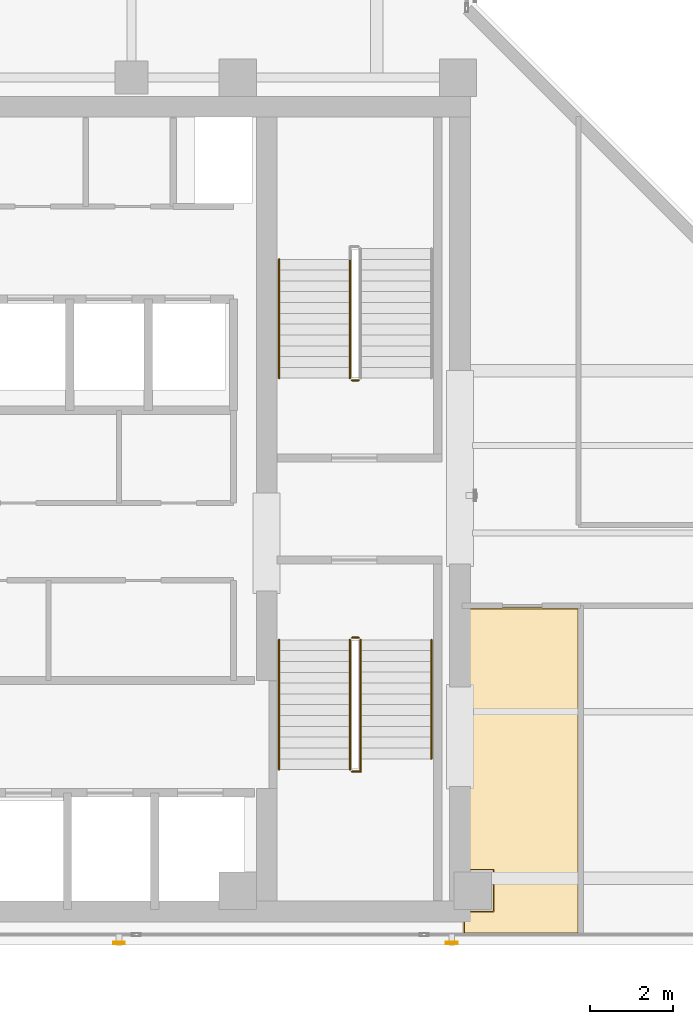
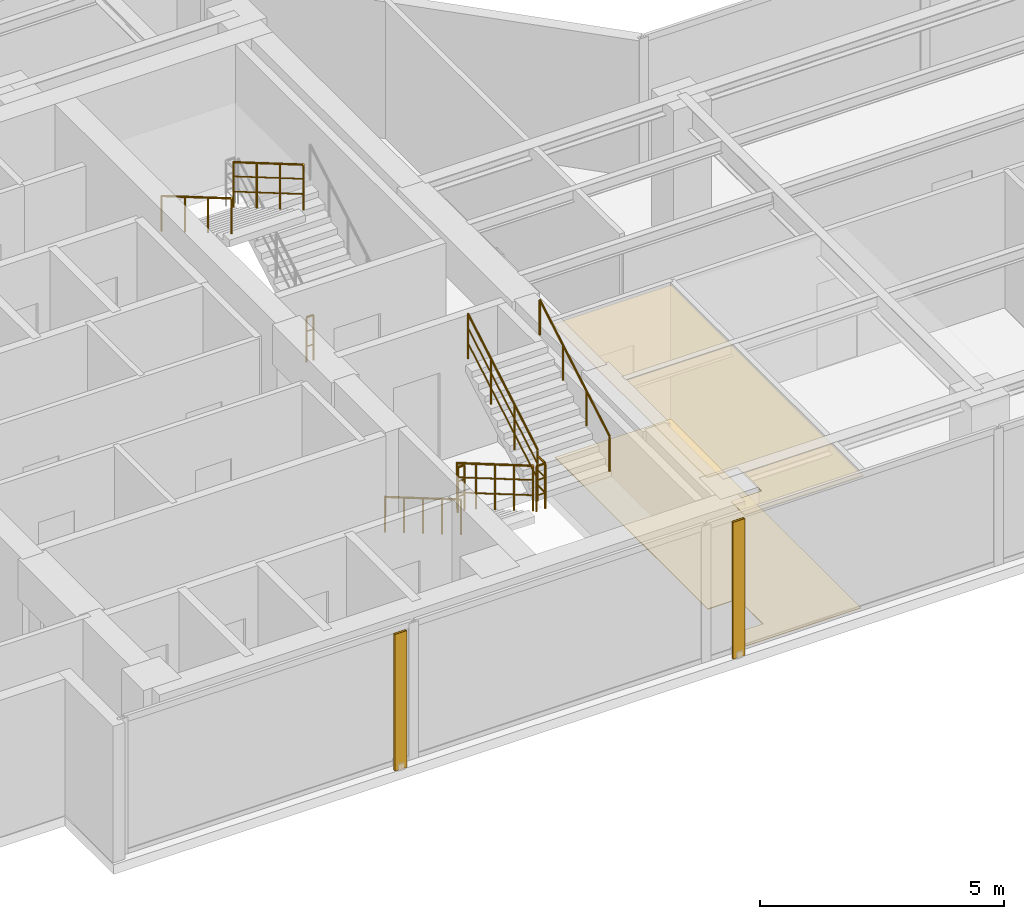
# One storey, part 19 of 23: 9 railings, 2 coverings, 2 shading devices.
"""IFC4 building model written with IfcOpenShell, lengths in metres."""

from ifc_helpers import new_model, si_unit, direction, frame, origin, origin_2d, place, context, subcontext, project, spatial, polyline, hollow_rectangle, circle, outline, extrude, material, layer, layer_set, material_profile, profile_set, type_object, element, save


model = new_model("IFC4")

# Units and contexts
model_context = context("Model", 3, precision=1e-05, world=origin(), true_north=direction((0.0, 1.0)))
body_context = subcontext(model_context, "Body", "Model", "MODEL_VIEW")
ifc_project = project(units=[si_unit("LENGTHUNIT", "METRE"), si_unit("AREAUNIT", "SQUARE_METRE"), si_unit("VOLUMEUNIT", "CUBIC_METRE"), si_unit("PLANEANGLEUNIT", "RADIAN"), si_unit("MASSUNIT", "GRAM", prefix="KILO")], contexts=[model_context])

# Site, building, storey
site_placement = place(None, origin())
site = spatial("IfcSite", under=ifc_project, at=site_placement, CompositionType="ELEMENT")
building_placement = place(site_placement, origin())
building = spatial("IfcBuilding", under=site, at=building_placement, Name="Kolvaren Waterfront Exchange", CompositionType="ELEMENT")
storey_placement = place(building_placement, frame((0.0, 0.0, 335.0)))
storey = spatial("IfcBuildingStorey", under=building, at=storey_placement, Name="L86", CompositionType="ELEMENT", Elevation=335.0)

# Covering
ifc_material_1 = material(Name="Mineral fibre acoustic ceiling tile")
ifc_layer_1 = layer(ifc_material_1, 0.02490234375, Name="Mineral fibre acoustic ceiling tile")
ifc_layer_set_1 = layer_set([ifc_layer_1], Name="Mineral fibre acoustic ceiling tile")
covering_type_1 = type_object("IfcCoveringType", Name="ARC-CEIL-ACOUSTIC-25", PredefinedType="CEILING", material=ifc_layer_set_1)
covering_1_placement = place(storey_placement, frame((0.0, 0.0, 3.304931640625)))
element("IfcCovering", 1, at=covering_1_placement, inside=storey, type_object=covering_type_1, Name="L86 acoustic suspended ceiling 2", PredefinedType="CEILING", context=body_context, shape_type="SweptSolid", body=[
    extrude(outline(polyline([(20.864990234375, 5.389892578125), (21.590087890625, 5.389892578125), (21.590087890625, 4.409912109375), (20.864990234375, 4.409912109375), (20.864990234375, 3.844970703125), (23.675048828125, 3.844970703125), (23.675048828125, 11.705078125), (20.864990234375, 11.705078125), (20.864990234375, 5.389892578125)])), origin(), (0.0, 0.0, 1.0), 0.025146484375),
])

# Shading devices
ifc_material_2 = material(Name="Anodised bronze aluminium 6063-T6", Category="aluminium")
ifc_material_profile = material_profile(ifc_material_2, hollow_rectangle(XDim=0.054931640625, YDim=0.280029296875, WallThickness=0.00439453125, at=origin_2d()), Name="BRZ-FIN-280x55x4.5")
ifc_profile_set = profile_set([ifc_material_profile], Name="Anodised bronze aluminium 6063-T6")
shading_device_type = type_object("IfcShadingDeviceType", Name="ARC-FIN-280", PredefinedType="USERDEFINED", material=ifc_profile_set)
for number, where, z_axis, x_axis, name in (
    (2, (12.60009765625, 3.639892578125, 0.0), (0.0, 0.0, 1.0), (0.0, -1.0, 0.0), "L86 anodised bronze solar shading fin FIN-L86-S1"),
    (3, (20.60009765625, 3.639892578125, 0.0), (0.0, 0.0, 1.0), (0.0, -1.0, 0.0), "L86 anodised bronze solar shading fin FIN-L86-S2"),
):
    element("IfcShadingDevice", number, at=place(storey_placement, frame(where, z_axis=z_axis, x_axis=x_axis)), inside=storey, type_object=shading_device_type, Name=name, ObjectType="SOLAR FIN", PredefinedType="USERDEFINED", context=body_context, shape_type="SweptSolid", body=[
        extrude(hollow_rectangle(XDim=0.054931640625, YDim=0.280029296875, WallThickness=0.00439453125, at=origin_2d()), origin(), (0.0, 0.0, 1.0), 3.419921875),
    ])

# Covering
ifc_material_3 = material(Name="Slip-resistant porcelain tile")
ifc_layer_2 = layer(ifc_material_3, 0.014892578125, Name="Slip-resistant porcelain tile")
ifc_layer_set_2 = layer_set([ifc_layer_2], Name="Slip-resistant porcelain tile")
covering_type_2 = type_object("IfcCoveringType", Name="ARC-FLR-PORC-15", PredefinedType="FLOORING", material=ifc_layer_set_2)
covering_2_placement = place(storey_placement, origin())
element("IfcCovering", 4, at=covering_2_placement, inside=storey, type_object=covering_type_2, Name="L86 floor finish 2", PredefinedType="FLOORING", context=body_context, shape_type="SweptSolid", body=[
    extrude(outline(polyline([(20.89990234375, 4.389892578125), (20.89990234375, 3.8798828125), (23.639892578125, 3.8798828125), (23.639892578125, 11.669921875), (20.89990234375, 11.669921875), (20.89990234375, 5.409912109375), (21.610107421875, 5.409912109375), (21.610107421875, 4.389892578125), (20.89990234375, 4.389892578125)])), origin(), (0.0, 0.0, 1.0), 0.014892578125),
])

# Railings
ifc_material_4 = material(Name="Stainless steel 316", Category="steel")
railing_type_1 = type_object("IfcRailingType", Name="ARC-GUARD-STAIR", PredefinedType="GUARDRAIL", material=ifc_material_4)
railing_1_placement = place(storey_placement, frame((18.14990234375, 10.929931640625, 0.152099609375)))
element("IfcRailing", 5, at=railing_1_placement, inside=storey, type_object=railing_type_1, Name="L86 ST1 stair guard 1", PredefinedType="GUARDRAIL", context=body_context, shape_type="SweptSolid", body=[
    extrude(circle(Radius=0.02392578125, at=origin_2d()), frame((0.0, 0.0, 1.1259765625), z_axis=(0.0, -0.86329090724, 0.504706656858), x_axis=(1.0, 0.0, 0.0)), (0.0, 0.0, 1.0), 3.614013671875),
    extrude(circle(Radius=0.01611328125, at=origin_2d()), frame((0.0, 0.0, 0.390869140625), z_axis=(0.0, -0.86329090724, 0.504706656858), x_axis=(1.0, 0.0, 0.0)), (0.0, 0.0, 1.0), 3.614013671875),
    extrude(circle(Radius=0.01611328125, at=origin_2d()), frame((0.0, 0.0, 0.7705078125), z_axis=(0.0, -0.86329090724, 0.504706656858), x_axis=(1.0, 0.0, 0.0)), (0.0, 0.0, 1.0), 3.614013671875),
    extrude(circle(Radius=0.02099609375, at=origin_2d()), origin(), (0.0, 0.0, 1.0), 1.101806640625),
    extrude(circle(Radius=0.02099609375, at=origin_2d()), frame((0.0, -0.780029296875, 0.4560546875)), (0.0, 0.0, 1.0), 1.101806640625),
    extrude(circle(Radius=0.02099609375, at=origin_2d()), frame((0.0, -1.56005859375, 0.912109375)), (0.0, 0.0, 1.0), 1.101806640625),
    extrude(circle(Radius=0.02099609375, at=origin_2d()), frame((0.0, -2.33984375, 1.367919921875)), (0.0, 0.0, 1.0), 1.101806640625),
    extrude(circle(Radius=0.02099609375, at=origin_2d()), frame((0.0, -3.119873046875, 1.823974609375)), (0.0, 0.0, 1.0), 1.101806640625),
])
railing_2_placement = place(storey_placement, frame((18.199951171875, 7.760009765625, 1.97607421875)))
element("IfcRailing", 6, at=railing_2_placement, inside=storey, type_object=railing_type_1, Name="L86 ST1 stair guard 2", PredefinedType="GUARDRAIL", context=body_context, shape_type="SweptSolid", body=[
    extrude(circle(Radius=0.02392578125, at=origin_2d()), frame((0.0, 0.0, 1.1259765625), z_axis=(1.0, 0.0, 0.0), x_axis=(0.0, 1.0, 0.0)), (0.0, 0.0, 1.0), 0.2099609375),
    extrude(circle(Radius=0.01611328125, at=origin_2d()), frame((0.0, 0.0, 0.390869140625), z_axis=(1.0, 0.0, 0.0), x_axis=(0.0, 1.0, 0.0)), (0.0, 0.0, 1.0), 0.2099609375),
    extrude(circle(Radius=0.01611328125, at=origin_2d()), frame((0.0, 0.0, 0.7705078125), z_axis=(1.0, 0.0, 0.0), x_axis=(0.0, 1.0, 0.0)), (0.0, 0.0, 1.0), 0.2099609375),
    extrude(circle(Radius=0.02392578125, at=origin_2d()), frame((0.2099609375, 0.0, 1.1259765625), z_axis=(0.0, 1.0, 0.0), x_axis=(-1.0, 0.0, 0.0)), (0.0, 0.0, 1.0), 0.31005859375),
    extrude(circle(Radius=0.01611328125, at=origin_2d()), frame((0.2099609375, 0.0, 0.390869140625), z_axis=(0.0, 1.0, 0.0), x_axis=(-1.0, 0.0, 0.0)), (0.0, 0.0, 1.0), 0.31005859375),
    extrude(circle(Radius=0.01611328125, at=origin_2d()), frame((0.2099609375, 0.0, 0.7705078125), z_axis=(0.0, 1.0, 0.0), x_axis=(-1.0, 0.0, 0.0)), (0.0, 0.0, 1.0), 0.31005859375),
    extrude(circle(Radius=0.02099609375, at=origin_2d()), origin(), (0.0, 0.0, 1.0), 1.101806640625),
    extrude(circle(Radius=0.02099609375, at=origin_2d()), frame((0.2099609375, 0.0, 0.0)), (0.0, 0.0, 1.0), 1.101806640625),
    extrude(circle(Radius=0.02099609375, at=origin_2d()), frame((0.2099609375, 0.31005859375, 0.0)), (0.0, 0.0, 1.0), 1.101806640625),
])
railing_3_placement = place(storey_placement, frame((18.409912109375, 8.070068359375, 2.1279296875)))
element("IfcRailing", 7, at=railing_3_placement, inside=storey, type_object=railing_type_1, Name="L86 ST1 stair guard 3", PredefinedType="GUARDRAIL", context=body_context, shape_type="SweptSolid", body=[
    extrude(circle(Radius=0.02392578125, at=origin_2d()), frame((0.0, 0.0, 1.1259765625), z_axis=(0.0, 0.863270611444, 0.50474137082), x_axis=(-1.0, 0.0, 0.0)), (0.0, 0.0, 1.0), 3.312744140625),
    extrude(circle(Radius=0.01611328125, at=origin_2d()), frame((0.0, 0.0, 0.390869140625), z_axis=(0.0, 0.863270611444, 0.50474137082), x_axis=(-1.0, 0.0, 0.0)), (0.0, 0.0, 1.0), 3.312744140625),
    extrude(circle(Radius=0.01611328125, at=origin_2d()), frame((0.0, 0.0, 0.7705078125), z_axis=(0.0, 0.863270611444, 0.50474137082), x_axis=(-1.0, 0.0, 0.0)), (0.0, 0.0, 1.0), 3.312744140625),
    extrude(circle(Radius=0.02099609375, at=origin_2d()), origin(), (0.0, 0.0, 1.0), 1.101806640625),
    extrude(circle(Radius=0.02099609375, at=origin_2d()), frame((0.0, 0.953369140625, 0.557373046875)), (0.0, 0.0, 1.0), 1.101806640625),
    extrude(circle(Radius=0.02099609375, at=origin_2d()), frame((0.0, 1.906494140625, 1.11474609375)), (0.0, 0.0, 1.0), 1.101806640625),
    extrude(circle(Radius=0.02099609375, at=origin_2d()), frame((0.0, 2.85986328125, 1.672119140625)), (0.0, 0.0, 1.0), 1.101806640625),
])
railing_4_placement = place(storey_placement, frame((18.199951171875, 10.97998046875, 0.0)))
element("IfcRailing", 8, at=railing_4_placement, inside=storey, type_object=railing_type_1, Name="L86 ST1 stair guard 4", PredefinedType="GUARDRAIL", context=body_context, shape_type="SweptSolid", body=[
    extrude(circle(Radius=0.02392578125, at=origin_2d()), frame((0.0, 0.0, 1.1259765625), z_axis=(1.0, 0.0, 0.0), x_axis=(0.0, 1.0, 0.0)), (0.0, 0.0, 1.0), 0.16015625),
    extrude(circle(Radius=0.01611328125, at=origin_2d()), frame((0.0, 0.0, 0.390869140625), z_axis=(1.0, 0.0, 0.0), x_axis=(0.0, 1.0, 0.0)), (0.0, 0.0, 1.0), 0.16015625),
    extrude(circle(Radius=0.01611328125, at=origin_2d()), frame((0.0, 0.0, 0.7705078125), z_axis=(1.0, 0.0, 0.0), x_axis=(0.0, 1.0, 0.0)), (0.0, 0.0, 1.0), 0.16015625),
    extrude(circle(Radius=0.02099609375, at=origin_2d()), origin(), (0.0, 0.0, 1.0), 1.101806640625),
    extrude(circle(Radius=0.02099609375, at=origin_2d()), frame((0.16015625, 0.0, 0.0)), (0.0, 0.0, 1.0), 1.101806640625),
])
railing_5_placement = place(storey_placement, frame((18.14990234375, 20.080078125, 2.1279296875)))
element("IfcRailing", 9, at=railing_5_placement, inside=storey, type_object=railing_type_1, Name="L86 ST2 stair guard 3", PredefinedType="GUARDRAIL", context=body_context, shape_type="SweptSolid", body=[
    extrude(circle(Radius=0.02392578125, at=origin_2d()), frame((0.0, 0.0, 1.1259765625), z_axis=(0.0, -0.863289384635, 0.504709261235), x_axis=(1.0, 0.0, 0.0)), (0.0, 0.0, 1.0), 3.31298828125),
    extrude(circle(Radius=0.01611328125, at=origin_2d()), frame((0.0, 0.0, 0.390869140625), z_axis=(0.0, -0.863289384635, 0.504709261235), x_axis=(1.0, 0.0, 0.0)), (0.0, 0.0, 1.0), 3.31298828125),
    extrude(circle(Radius=0.01611328125, at=origin_2d()), frame((0.0, 0.0, 0.7705078125), z_axis=(0.0, -0.863289384635, 0.504709261235), x_axis=(1.0, 0.0, 0.0)), (0.0, 0.0, 1.0), 3.31298828125),
    extrude(circle(Radius=0.02099609375, at=origin_2d()), origin(), (0.0, 0.0, 1.0), 1.101806640625),
    extrude(circle(Radius=0.02099609375, at=origin_2d()), frame((0.0, -0.953369140625, 0.557373046875)), (0.0, 0.0, 1.0), 1.101806640625),
    extrude(circle(Radius=0.02099609375, at=origin_2d()), frame((0.0, -1.90673828125, 1.11474609375)), (0.0, 0.0, 1.0), 1.101806640625),
    extrude(circle(Radius=0.02099609375, at=origin_2d()), frame((0.0, -2.860107421875, 1.672119140625)), (0.0, 0.0, 1.0), 1.101806640625),
])
railing_6_placement = place(storey_placement, frame((18.360107421875, 17.169921875, 0.0)))
element("IfcRailing", 10, at=railing_6_placement, inside=storey, type_object=railing_type_1, Name="L86 ST2 stair guard 4", PredefinedType="GUARDRAIL", context=body_context, shape_type="SweptSolid", body=[
    extrude(circle(Radius=0.02392578125, at=origin_2d()), frame((0.0, 0.0, 1.1259765625), z_axis=(-1.0, 0.0, 0.0), x_axis=(0.0, -1.0, 0.0)), (0.0, 0.0, 1.0), 0.16015625),
    extrude(circle(Radius=0.01611328125, at=origin_2d()), frame((0.0, 0.0, 0.390869140625), z_axis=(-1.0, 0.0, 0.0), x_axis=(0.0, -1.0, 0.0)), (0.0, 0.0, 1.0), 0.16015625),
    extrude(circle(Radius=0.01611328125, at=origin_2d()), frame((0.0, 0.0, 0.7705078125), z_axis=(-1.0, 0.0, 0.0), x_axis=(0.0, -1.0, 0.0)), (0.0, 0.0, 1.0), 0.16015625),
    extrude(circle(Radius=0.02099609375, at=origin_2d()), origin(), (0.0, 0.0, 1.0), 1.101806640625),
    extrude(circle(Radius=0.02099609375, at=origin_2d()), frame((-0.16015625, 0.0, 0.0)), (0.0, 0.0, 1.0), 1.101806640625),
])
railing_type_2 = type_object("IfcRailingType", Name="ARC-HANDRAIL-900", PredefinedType="HANDRAIL", material=ifc_material_4)
railing_7_placement = place(storey_placement, frame((16.449951171875, 10.929931640625, 0.152099609375)))
element("IfcRailing", 11, at=railing_7_placement, inside=storey, type_object=railing_type_2, Name="L86 ST1 stair handrail 1", PredefinedType="HANDRAIL", context=body_context, shape_type="SweptSolid", body=[
    extrude(circle(Radius=0.02392578125, at=origin_2d()), frame((0.0, 0.0, 0.8759765625), z_axis=(0.0, -0.86329090724, 0.504706656858), x_axis=(1.0, 0.0, 0.0)), (0.0, 0.0, 1.0), 3.614013671875),
    extrude(circle(Radius=0.02099609375, at=origin_2d()), origin(), (0.0, 0.0, 1.0), 0.851806640625),
    extrude(circle(Radius=0.02099609375, at=origin_2d()), frame((0.0, -0.780029296875, 0.4560546875)), (0.0, 0.0, 1.0), 0.851806640625),
    extrude(circle(Radius=0.02099609375, at=origin_2d()), frame((0.0, -1.56005859375, 0.912109375)), (0.0, 0.0, 1.0), 0.851806640625),
    extrude(circle(Radius=0.02099609375, at=origin_2d()), frame((0.0, -2.33984375, 1.367919921875)), (0.0, 0.0, 1.0), 0.851806640625),
    extrude(circle(Radius=0.02099609375, at=origin_2d()), frame((0.0, -3.119873046875, 1.823974609375)), (0.0, 0.0, 1.0), 0.851806640625),
])
railing_8_placement = place(storey_placement, frame((20.110107421875, 8.070068359375, 2.1279296875)))
element("IfcRailing", 12, at=railing_8_placement, inside=storey, type_object=railing_type_2, Name="L86 ST1 stair handrail 2", PredefinedType="HANDRAIL", context=body_context, shape_type="SweptSolid", body=[
    extrude(circle(Radius=0.02392578125, at=origin_2d()), frame((0.0, 0.0, 0.8759765625), z_axis=(0.0, 0.863270611444, 0.50474137082), x_axis=(-1.0, 0.0, 0.0)), (0.0, 0.0, 1.0), 3.312744140625),
    extrude(circle(Radius=0.02099609375, at=origin_2d()), origin(), (0.0, 0.0, 1.0), 0.851806640625),
    extrude(circle(Radius=0.02099609375, at=origin_2d()), frame((0.0, 0.953369140625, 0.557373046875)), (0.0, 0.0, 1.0), 0.851806640625),
    extrude(circle(Radius=0.02099609375, at=origin_2d()), frame((0.0, 1.906494140625, 1.11474609375)), (0.0, 0.0, 1.0), 0.851806640625),
    extrude(circle(Radius=0.02099609375, at=origin_2d()), frame((0.0, 2.85986328125, 1.672119140625)), (0.0, 0.0, 1.0), 0.851806640625),
])
railing_9_placement = place(storey_placement, frame((16.449951171875, 20.080078125, 2.1279296875)))
element("IfcRailing", 13, at=railing_9_placement, inside=storey, type_object=railing_type_2, Name="L86 ST2 stair handrail 2", PredefinedType="HANDRAIL", context=body_context, shape_type="SweptSolid", body=[
    extrude(circle(Radius=0.02392578125, at=origin_2d()), frame((0.0, 0.0, 0.8759765625), z_axis=(0.0, -0.863289384635, 0.504709261235), x_axis=(1.0, 0.0, 0.0)), (0.0, 0.0, 1.0), 3.31298828125),
    extrude(circle(Radius=0.02099609375, at=origin_2d()), origin(), (0.0, 0.0, 1.0), 0.851806640625),
    extrude(circle(Radius=0.02099609375, at=origin_2d()), frame((0.0, -0.953369140625, 0.557373046875)), (0.0, 0.0, 1.0), 0.851806640625),
    extrude(circle(Radius=0.02099609375, at=origin_2d()), frame((0.0, -1.90673828125, 1.11474609375)), (0.0, 0.0, 1.0), 0.851806640625),
    extrude(circle(Radius=0.02099609375, at=origin_2d()), frame((0.0, -2.860107421875, 1.672119140625)), (0.0, 0.0, 1.0), 0.851806640625),
])

save(model, "model.ifc")
